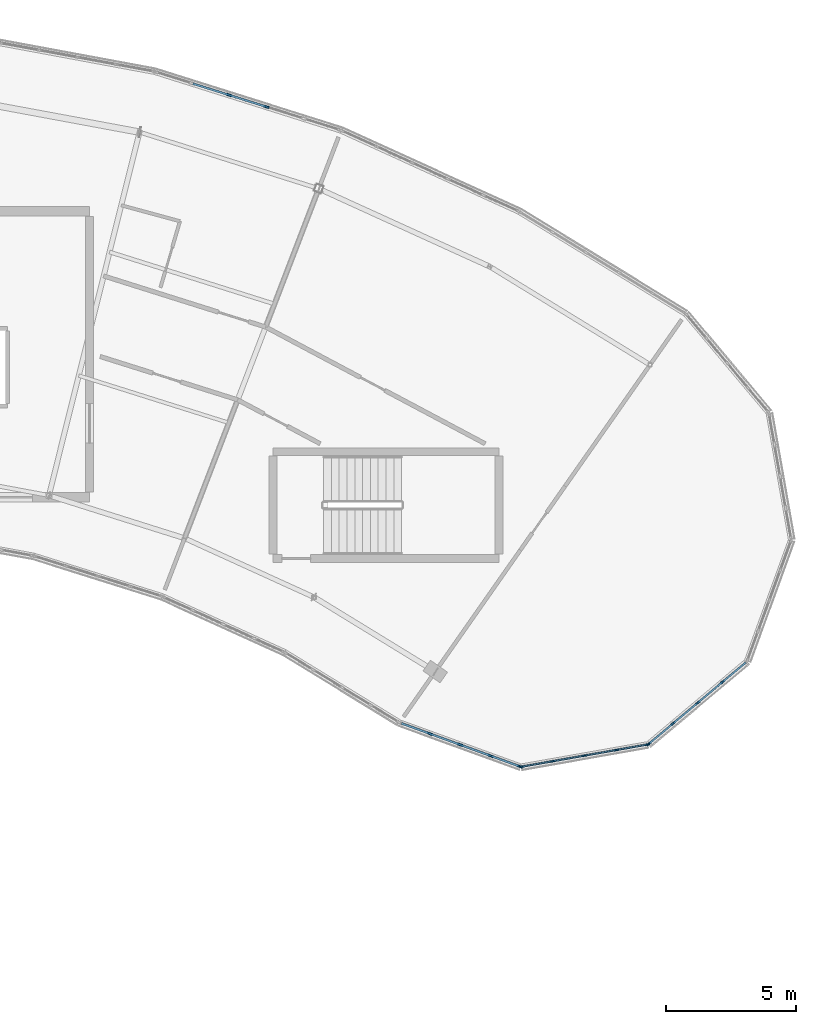
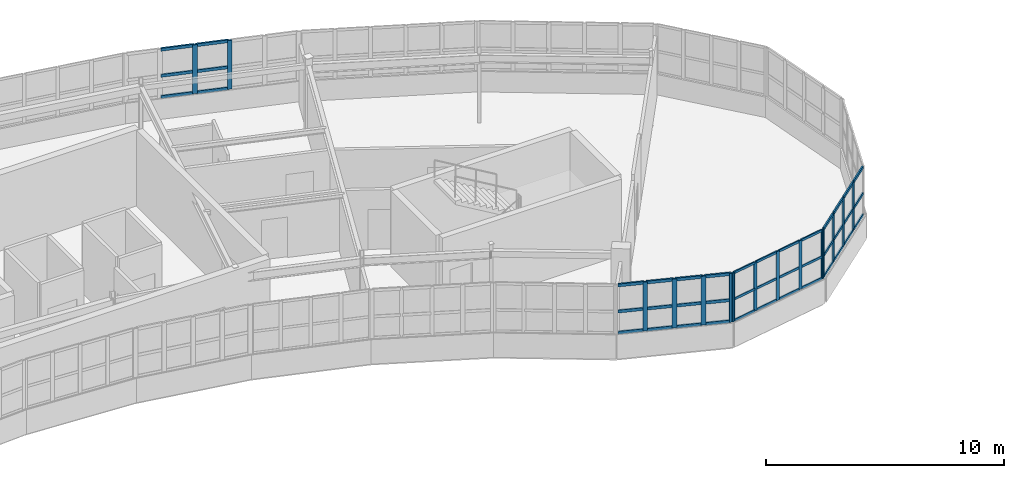
# One storey, part 33 of 65: 57 members, 4 elements without a shape of their own.
"""IFC4 building model written with IfcOpenShell, lengths in metres."""

from ifc_helpers import new_model, si_unit, direction, frame, origin, origin_2d, place, context, subcontext, project, spatial, rectangle, extrude, material, layer, layer_set, material_profile, profile_set, type_object, element, aggregate, save


model = new_model("IFC4")

# Units and contexts
model_context = context("Model", 3, precision=1e-05, world=origin(), true_north=direction((0.0, 1.0)))
body_context = subcontext(model_context, "Body", "Model", "MODEL_VIEW")
ifc_project = project(units=[si_unit("LENGTHUNIT", "METRE"), si_unit("AREAUNIT", "SQUARE_METRE"), si_unit("VOLUMEUNIT", "CUBIC_METRE"), si_unit("PLANEANGLEUNIT", "RADIAN"), si_unit("MASSUNIT", "GRAM", prefix="KILO")], contexts=[model_context])

# Site, building, storey
site_placement = place(None, origin())
site = spatial("IfcSite", under=ifc_project, at=site_placement, CompositionType="ELEMENT")
building_placement = place(site_placement, origin())
building = spatial("IfcBuilding", under=site, at=building_placement, Name="Tarnwether General Hospital", CompositionType="ELEMENT")
storey_placement = place(building_placement, frame((0.0, 0.0, 22.199951171875)))
storey = spatial("IfcBuildingStorey", under=building, at=storey_placement, Name="L05", CompositionType="ELEMENT", Elevation=22.199951171875)

# Curtain wall, members
ifc_material_1 = material(Name="Anodised aluminium", Category="aluminium")
ifc_layer_1 = layer(ifc_material_1, 0.159912109375)
ifc_layer_set_1 = layer_set([ifc_layer_1], Name="Anodised aluminium")
curtain_wall_type_1 = type_object("IfcCurtainWallType", Name="CW-03", PredefinedType="NOTDEFINED", material=ifc_layer_set_1)
curtain_wall_1_placement = place(storey_placement, origin())
curtain_wall_1 = element("IfcCurtainWall", 1, at=curtain_wall_1_placement, inside=storey, type_object=curtain_wall_type_1, Name="Curtain Wall CWG-L05-1259_969-0081", PredefinedType="NOTDEFINED")
ifc_material_2 = material(Name="Anodised aluminium", Category="aluminium")
ifc_material_profile_1 = material_profile(ifc_material_2, rectangle(XDim=0.06005859375, YDim=0.159912109375, at=origin_2d()), Name="ALU-MUL-60x160")
ifc_profile_set_1 = profile_set([ifc_material_profile_1], Name="Anodised aluminium")
member_type_1 = type_object("IfcMemberType", Name="CW-ML1", PredefinedType="MULLION", material=ifc_profile_set_1)
member_1_placement = place(storey_placement, frame((125.853515625, 96.889892578125, 1.050048828125), z_axis=(0.0, 0.0, 1.0), x_axis=(0.173659059054, -0.984805834268, 0.0)))
member_1 = element("IfcMember", 2, at=member_1_placement, type_object=member_type_1, Name="CW-03 mullion 1", PredefinedType="MULLION", context=body_context, shape_type="SweptSolid", body=[
    extrude(rectangle(XDim=0.06005859375, YDim=0.159912109375, at=origin_2d()), origin(), (0.0, 0.0, 1.0), 2.510009765625),
])
member_2_placement = place(storey_placement, frame((124.659423828125, 96.67919921875, 1.050048828125), z_axis=(0.0, 0.0, 1.0), x_axis=(0.173659059054, -0.984805834268, 0.0)))
member_2 = element("IfcMember", 3, at=member_2_placement, type_object=member_type_1, Name="CW-03 mullion 2", PredefinedType="MULLION", context=body_context, shape_type="SweptSolid", body=[
    extrude(rectangle(XDim=0.06005859375, YDim=0.159912109375, at=origin_2d()), origin(), (0.0, 0.0, 1.0), 2.510009765625),
])
member_3_placement = place(storey_placement, frame((123.43603515625, 96.46337890625, 1.050048828125), z_axis=(0.0, 0.0, 1.0), x_axis=(0.173659059054, -0.984805834268, 0.0)))
member_3 = element("IfcMember", 4, at=member_3_placement, type_object=member_type_1, Name="CW-03 mullion 3", PredefinedType="MULLION", context=body_context, shape_type="SweptSolid", body=[
    extrude(rectangle(XDim=0.06005859375, YDim=0.159912109375, at=origin_2d()), origin(), (0.0, 0.0, 1.0), 2.510009765625),
])
member_4_placement = place(storey_placement, frame((122.21240234375, 96.247802734375, 1.050048828125), z_axis=(0.0, 0.0, 1.0), x_axis=(0.173659059054, -0.984805834268, 0.0)))
member_4 = element("IfcMember", 5, at=member_4_placement, type_object=member_type_1, Name="CW-03 mullion 4", PredefinedType="MULLION", context=body_context, shape_type="SweptSolid", body=[
    extrude(rectangle(XDim=0.06005859375, YDim=0.159912109375, at=origin_2d()), origin(), (0.0, 0.0, 1.0), 2.510009765625),
])
member_5_placement = place(storey_placement, frame((121.0185546875, 96.037109375, 1.050048828125), z_axis=(0.0, 0.0, 1.0), x_axis=(0.173659059054, -0.984805834268, 0.0)))
member_5 = element("IfcMember", 6, at=member_5_placement, type_object=member_type_1, Name="CW-03 mullion 5", PredefinedType="MULLION", context=body_context, shape_type="SweptSolid", body=[
    extrude(rectangle(XDim=0.06005859375, YDim=0.159912109375, at=origin_2d()), origin(), (0.0, 0.0, 1.0), 2.510009765625),
])

curtain_wall_2_placement = place(storey_placement, origin())
curtain_wall_2 = element("IfcCurtainWall", 7, at=curtain_wall_2_placement, inside=storey, type_object=curtain_wall_type_1, Name="Curtain Wall CWG-L05-1297_1001-0082", PredefinedType="NOTDEFINED")
ifc_material_3 = material(Name="Anodised aluminium", Category="aluminium")
ifc_material_profile_2 = material_profile(ifc_material_3, rectangle(XDim=0.070068359375, YDim=0.179931640625, at=origin_2d()), Name="ALU-MUL-70x180")
ifc_profile_set_2 = profile_set([ifc_material_profile_2], Name="Anodised aluminium")
member_type_2 = type_object("IfcMemberType", Name="CW-ML2", PredefinedType="MULLION", material=ifc_profile_set_2)
member_6_placement = place(storey_placement, frame((128.73828125, 99.291259765625, 1.050048828125), z_axis=(0.0, 0.0, 1.0), x_axis=(0.64285227611, -0.765990176896, 0.0)))
member_6 = element("IfcMember", 8, at=member_6_placement, type_object=member_type_2, Name="CW-03 mullion 2", PredefinedType="MULLION", context=body_context, shape_type="SweptSolid", body=[
    extrude(rectangle(XDim=0.070068359375, YDim=0.179931640625, at=origin_2d()), origin(), (0.0, 0.0, 1.0), 2.510009765625),
])
member_7_placement = place(storey_placement, frame((127.78662109375, 98.492431640625, 1.050048828125), z_axis=(0.0, 0.0, 1.0), x_axis=(0.64285227611, -0.765990176896, 0.0)))
member_7 = element("IfcMember", 9, at=member_7_placement, type_object=member_type_2, Name="CW-03 mullion 3", PredefinedType="MULLION", context=body_context, shape_type="SweptSolid", body=[
    extrude(rectangle(XDim=0.070068359375, YDim=0.179931640625, at=origin_2d()), origin(), (0.0, 0.0, 1.0), 2.510009765625),
])
member_8_placement = place(storey_placement, frame((126.834716796875, 97.69384765625, 1.050048828125), z_axis=(0.0, 0.0, 1.0), x_axis=(0.64285227611, -0.765990176896, 0.0)))
member_8 = element("IfcMember", 10, at=member_8_placement, type_object=member_type_2, Name="CW-03 mullion 4", PredefinedType="MULLION", context=body_context, shape_type="SweptSolid", body=[
    extrude(rectangle(XDim=0.070068359375, YDim=0.179931640625, at=origin_2d()), origin(), (0.0, 0.0, 1.0), 2.510009765625),
])
member_9_placement = place(storey_placement, frame((125.909912109375, 96.91748046875, 1.050048828125), z_axis=(0.0, 0.0, 1.0), x_axis=(0.64285227611, -0.765990176896, 0.0)))
member_9 = element("IfcMember", 11, at=member_9_placement, type_object=member_type_2, Name="CW-03 mullion 5", PredefinedType="MULLION", context=body_context, shape_type="SweptSolid", body=[
    extrude(rectangle(XDim=0.070068359375, YDim=0.179931640625, at=origin_2d()), origin(), (0.0, 0.0, 1.0), 2.510009765625),
])

curtain_wall_3_placement = place(storey_placement, origin())
curtain_wall_3 = element("IfcCurtainWall", 12, at=curtain_wall_3_placement, inside=storey, type_object=curtain_wall_type_1, Name="Curtain Wall CWG-L05-1210_960-0080", PredefinedType="NOTDEFINED")
ifc_material_4 = material(Name="Anodised aluminium", Category="aluminium")
ifc_material_profile_3 = material_profile(ifc_material_4, rectangle(XDim=0.080078125, YDim=0.199951171875, at=origin_2d()), Name="ALU-MUL-80x200")
ifc_profile_set_3 = profile_set([ifc_material_profile_3], Name="Anodised aluminium")
member_type_3 = type_object("IfcMemberType", Name="CW-ML4", PredefinedType="MULLION", material=ifc_profile_set_3)
member_10_placement = place(storey_placement, frame((120.951416015625, 96.045654296875, 1.050048828125), z_axis=(0.0, 0.0, 1.0), x_axis=(-0.342130850834, -0.939652319163, 0.0)))
member_10 = element("IfcMember", 13, at=member_10_placement, type_object=member_type_3, Name="CW-03 mullion 1", PredefinedType="MULLION", context=body_context, shape_type="SweptSolid", body=[
    extrude(rectangle(XDim=0.080078125, YDim=0.199951171875, at=origin_2d()), origin(), (0.0, 0.0, 1.0), 2.510009765625),
])
member_11_placement = place(storey_placement, frame((119.82177734375, 96.45703125, 1.050048828125), z_axis=(0.0, 0.0, 1.0), x_axis=(-0.342130850834, -0.939652319163, 0.0)))
member_11 = element("IfcMember", 14, at=member_11_placement, type_object=member_type_3, Name="CW-03 mullion 2", PredefinedType="MULLION", context=body_context, shape_type="SweptSolid", body=[
    extrude(rectangle(XDim=0.080078125, YDim=0.199951171875, at=origin_2d()), origin(), (0.0, 0.0, 1.0), 2.510009765625),
])
member_12_placement = place(storey_placement, frame((118.654541015625, 96.882080078125, 1.050048828125), z_axis=(0.0, 0.0, 1.0), x_axis=(-0.342130850834, -0.939652319163, 0.0)))
member_12 = element("IfcMember", 15, at=member_12_placement, type_object=member_type_3, Name="CW-03 mullion 3", PredefinedType="MULLION", context=body_context, shape_type="SweptSolid", body=[
    extrude(rectangle(XDim=0.080078125, YDim=0.199951171875, at=origin_2d()), origin(), (0.0, 0.0, 1.0), 2.510009765625),
])
member_13_placement = place(storey_placement, frame((117.4873046875, 97.306884765625, 1.050048828125), z_axis=(0.0, 0.0, 1.0), x_axis=(-0.342130850834, -0.939652319163, 0.0)))
member_13 = element("IfcMember", 16, at=member_13_placement, type_object=member_type_3, Name="CW-03 mullion 4", PredefinedType="MULLION", context=body_context, shape_type="SweptSolid", body=[
    extrude(rectangle(XDim=0.080078125, YDim=0.199951171875, at=origin_2d()), origin(), (0.0, 0.0, 1.0), 2.510009765625),
])

ifc_material_5 = material(Name="Anodised aluminium", Category="aluminium")
ifc_layer_2 = layer(ifc_material_5, 0.159912109375)
ifc_layer_set_2 = layer_set([ifc_layer_2], Name="Anodised aluminium")
curtain_wall_type_2 = type_object("IfcCurtainWallType", Name="CW-05", PredefinedType="NOTDEFINED", material=ifc_layer_set_2)
curtain_wall_4_placement = place(storey_placement, origin())
curtain_wall_4 = element("IfcCurtainWall", 17, at=curtain_wall_4_placement, inside=storey, type_object=curtain_wall_type_2, Name="Curtain Wall CWG-L05-1069_1228-0088", PredefinedType="NOTDEFINED")
member_14_placement = place(storey_placement, frame((109.771240234375, 121.865478515625, 1.050048828125), z_axis=(0.0, 0.0, 1.0), x_axis=(0.300628613299, 0.953741284032, 0.0)))
member_14 = element("IfcMember", 18, at=member_14_placement, type_object=member_type_3, Name="CW-05 mullion 3", PredefinedType="MULLION", context=body_context, shape_type="SweptSolid", body=[
    extrude(rectangle(XDim=0.080078125, YDim=0.199951171875, at=origin_2d()), origin(), (0.0, 0.0, 1.0), 2.510009765625),
])
member_15_placement = place(storey_placement, frame((111.205810546875, 121.413330078125, 1.050048828125), z_axis=(0.0, 0.0, 1.0), x_axis=(0.300628613299, 0.953741284032, 0.0)))
member_15 = element("IfcMember", 19, at=member_15_placement, type_object=member_type_3, Name="CW-05 mullion 4", PredefinedType="MULLION", context=body_context, shape_type="SweptSolid", body=[
    extrude(rectangle(XDim=0.080078125, YDim=0.199951171875, at=origin_2d()), origin(), (0.0, 0.0, 1.0), 2.510009765625),
])

# Member
ifc_material_6 = material(Name="Anodised aluminium", Category="aluminium")
ifc_material_profile_4 = material_profile(ifc_material_6, rectangle(XDim=0.06005859375, YDim=0.1201171875, at=origin_2d()), Name="ALU-TRN-60x120")
ifc_profile_set_4 = profile_set([ifc_material_profile_4], Name="Anodised aluminium")
member_type_4 = type_object("IfcMemberType", Name="CW-TR1", PredefinedType="USERDEFINED", material=ifc_profile_set_4)
member_16_placement = place(storey_placement, frame((125.823974609375, 96.884521484375, 1.080078125), z_axis=(-0.984834698435, -0.173495293185, 0.0), x_axis=(0.173495293185, -0.984834698435, 0.0)))
member_16 = element("IfcMember", 20, at=member_16_placement, type_object=member_type_4, Name="CW-03 transom 1.1", ObjectType="TRANSOM", PredefinedType="USERDEFINED", context=body_context, shape_type="SweptSolid", body=[
    extrude(rectangle(XDim=0.06005859375, YDim=0.1201171875, at=origin_2d()), origin(), (0.0, 0.0, 1.0), 1.152587890625),
])

member_17_placement = place(storey_placement, frame((125.823974609375, 96.884521484375, 2.179443359375), z_axis=(-0.984834698435, -0.173495293185, 0.0), x_axis=(0.173495293185, -0.984834698435, 0.0)))
member_17 = element("IfcMember", 21, at=member_17_placement, type_object=member_type_4, Name="CW-03 transom 1.2", ObjectType="TRANSOM", PredefinedType="USERDEFINED", context=body_context, shape_type="SweptSolid", body=[
    extrude(rectangle(XDim=0.06005859375, YDim=0.1201171875, at=origin_2d()), origin(), (0.0, 0.0, 1.0), 1.152587890625),
])

member_18_placement = place(storey_placement, frame((125.823974609375, 96.884521484375, 3.530029296875), z_axis=(-0.984834698435, -0.173495293185, 0.0), x_axis=(0.173495293185, -0.984834698435, 0.0)))
member_18 = element("IfcMember", 22, at=member_18_placement, type_object=member_type_4, Name="CW-03 transom 1.3", ObjectType="TRANSOM", PredefinedType="USERDEFINED", context=body_context, shape_type="SweptSolid", body=[
    extrude(rectangle(XDim=0.06005859375, YDim=0.1201171875, at=origin_2d()), origin(), (0.0, 0.0, 1.0), 1.152587890625),
])

member_19_placement = place(storey_placement, frame((124.6298828125, 96.674072265625, 1.080078125), z_axis=(-0.984804340486, -0.173667529954, 0.0), x_axis=(0.173667529954, -0.984804340486, 0.0)))
member_19 = element("IfcMember", 23, at=member_19_placement, type_object=member_type_4, Name="CW-03 transom 2.1", ObjectType="TRANSOM", PredefinedType="USERDEFINED", context=body_context, shape_type="SweptSolid", body=[
    extrude(rectangle(XDim=0.06005859375, YDim=0.1201171875, at=origin_2d()), origin(), (0.0, 0.0, 1.0), 1.182373046875),
])

member_20_placement = place(storey_placement, frame((124.6298828125, 96.674072265625, 2.179443359375), z_axis=(-0.984804340486, -0.173667529954, 0.0), x_axis=(0.173667529954, -0.984804340486, 0.0)))
member_20 = element("IfcMember", 24, at=member_20_placement, type_object=member_type_4, Name="CW-03 transom 2.2", ObjectType="TRANSOM", PredefinedType="USERDEFINED", context=body_context, shape_type="SweptSolid", body=[
    extrude(rectangle(XDim=0.06005859375, YDim=0.1201171875, at=origin_2d()), origin(), (0.0, 0.0, 1.0), 1.182373046875),
])

member_21_placement = place(storey_placement, frame((124.6298828125, 96.674072265625, 3.530029296875), z_axis=(-0.984804340486, -0.173667529954, 0.0), x_axis=(0.173667529954, -0.984804340486, 0.0)))
member_21 = element("IfcMember", 25, at=member_21_placement, type_object=member_type_4, Name="CW-03 transom 2.3", ObjectType="TRANSOM", PredefinedType="USERDEFINED", context=body_context, shape_type="SweptSolid", body=[
    extrude(rectangle(XDim=0.06005859375, YDim=0.1201171875, at=origin_2d()), origin(), (0.0, 0.0, 1.0), 1.182373046875),
])

member_22_placement = place(storey_placement, frame((123.406494140625, 96.458251953125, 1.080078125), z_axis=(-0.984810566748, -0.17363221942, 0.0), x_axis=(0.17363221942, -0.984810566748, 0.0)))
member_22 = element("IfcMember", 26, at=member_22_placement, type_object=member_type_4, Name="CW-03 transom 3.1", ObjectType="TRANSOM", PredefinedType="USERDEFINED", context=body_context, shape_type="SweptSolid", body=[
    extrude(rectangle(XDim=0.06005859375, YDim=0.1201171875, at=origin_2d()), origin(), (0.0, 0.0, 1.0), 1.1826171875),
])

member_23_placement = place(storey_placement, frame((123.406494140625, 96.458251953125, 2.179443359375), z_axis=(-0.984810566748, -0.17363221942, 0.0), x_axis=(0.17363221942, -0.984810566748, 0.0)))
member_23 = element("IfcMember", 27, at=member_23_placement, type_object=member_type_4, Name="CW-03 transom 3.2", ObjectType="TRANSOM", PredefinedType="USERDEFINED", context=body_context, shape_type="SweptSolid", body=[
    extrude(rectangle(XDim=0.06005859375, YDim=0.1201171875, at=origin_2d()), origin(), (0.0, 0.0, 1.0), 1.1826171875),
])

member_24_placement = place(storey_placement, frame((123.406494140625, 96.458251953125, 3.530029296875), z_axis=(-0.984810566748, -0.17363221942, 0.0), x_axis=(0.17363221942, -0.984810566748, 0.0)))
member_24 = element("IfcMember", 28, at=member_24_placement, type_object=member_type_4, Name="CW-03 transom 3.3", ObjectType="TRANSOM", PredefinedType="USERDEFINED", context=body_context, shape_type="SweptSolid", body=[
    extrude(rectangle(XDim=0.06005859375, YDim=0.1201171875, at=origin_2d()), origin(), (0.0, 0.0, 1.0), 1.1826171875),
])

member_25_placement = place(storey_placement, frame((122.182861328125, 96.242431640625, 1.080078125), z_axis=(-0.984828319986, -0.173531496142, 0.0), x_axis=(0.173531496142, -0.984828319986, 0.0)))
member_25 = element("IfcMember", 29, at=member_25_placement, type_object=member_type_4, Name="CW-03 transom 4.1", ObjectType="TRANSOM", PredefinedType="USERDEFINED", context=body_context, shape_type="SweptSolid", body=[
    extrude(rectangle(XDim=0.06005859375, YDim=0.1201171875, at=origin_2d()), origin(), (0.0, 0.0, 1.0), 1.15234375),
])

member_26_placement = place(storey_placement, frame((122.182861328125, 96.242431640625, 2.179443359375), z_axis=(-0.984828319986, -0.173531496142, 0.0), x_axis=(0.173531496142, -0.984828319986, 0.0)))
member_26 = element("IfcMember", 30, at=member_26_placement, type_object=member_type_4, Name="CW-03 transom 4.2", ObjectType="TRANSOM", PredefinedType="USERDEFINED", context=body_context, shape_type="SweptSolid", body=[
    extrude(rectangle(XDim=0.06005859375, YDim=0.1201171875, at=origin_2d()), origin(), (0.0, 0.0, 1.0), 1.15234375),
])

member_27_placement = place(storey_placement, frame((122.182861328125, 96.242431640625, 3.530029296875), z_axis=(-0.984828319986, -0.173531496142, 0.0), x_axis=(0.173531496142, -0.984828319986, 0.0)))
member_27 = element("IfcMember", 31, at=member_27_placement, type_object=member_type_4, Name="CW-03 transom 4.3", ObjectType="TRANSOM", PredefinedType="USERDEFINED", context=body_context, shape_type="SweptSolid", body=[
    extrude(rectangle(XDim=0.06005859375, YDim=0.1201171875, at=origin_2d()), origin(), (0.0, 0.0, 1.0), 1.15234375),
])

aggregate(curtain_wall_1, [member_1, member_2, member_3, member_4, member_5, member_16, member_17, member_18, member_19, member_20, member_21, member_22, member_23, member_24, member_25, member_26, member_27])

ifc_material_7 = material(Name="Anodised aluminium", Category="aluminium")
ifc_material_profile_5 = material_profile(ifc_material_7, rectangle(XDim=0.070068359375, YDim=0.139892578125, at=origin_2d()), Name="ALU-TRN-70x140")
ifc_profile_set_5 = profile_set([ifc_material_profile_5], Name="Anodised aluminium")
member_type_5 = type_object("IfcMemberType", Name="CW-TR2", PredefinedType="USERDEFINED", material=ifc_profile_set_5)
member_28_placement = place(storey_placement, frame((129.636474609375, 100.044921875, 1.0849609375), z_axis=(-0.766017660128, -0.642819527062, 0.0), x_axis=(0.642819527062, -0.766017660128, 0.0)))
member_28 = element("IfcMember", 32, at=member_28_placement, type_object=member_type_5, Name="CW-03 transom 1.1", ObjectType="TRANSOM", PredefinedType="USERDEFINED", context=body_context, shape_type="SweptSolid", body=[
    extrude(rectangle(XDim=0.070068359375, YDim=0.139892578125, at=origin_2d()), origin(), (0.0, 0.0, 1.0), 1.137451171875),
])

member_29_placement = place(storey_placement, frame((129.636474609375, 100.044921875, 2.179443359375), z_axis=(-0.766017660128, -0.642819527062, 0.0), x_axis=(0.642819527062, -0.766017660128, 0.0)))
member_29 = element("IfcMember", 33, at=member_29_placement, type_object=member_type_5, Name="CW-03 transom 1.2", ObjectType="TRANSOM", PredefinedType="USERDEFINED", context=body_context, shape_type="SweptSolid", body=[
    extrude(rectangle(XDim=0.070068359375, YDim=0.139892578125, at=origin_2d()), origin(), (0.0, 0.0, 1.0), 1.137451171875),
])

member_30_placement = place(storey_placement, frame((129.636474609375, 100.044921875, 3.525146484375), z_axis=(-0.766017660128, -0.642819527062, 0.0), x_axis=(0.642819527062, -0.766017660128, 0.0)))
member_30 = element("IfcMember", 34, at=member_30_placement, type_object=member_type_5, Name="CW-03 transom 1.3", ObjectType="TRANSOM", PredefinedType="USERDEFINED", context=body_context, shape_type="SweptSolid", body=[
    extrude(rectangle(XDim=0.070068359375, YDim=0.139892578125, at=origin_2d()), origin(), (0.0, 0.0, 1.0), 1.137451171875),
])

member_31_placement = place(storey_placement, frame((128.71142578125, 99.268798828125, 1.0849609375), z_axis=(-0.765946792519, -0.642903967191, 0.0), x_axis=(0.642903967191, -0.765946792519, 0.0)))
member_31 = element("IfcMember", 35, at=member_31_placement, type_object=member_type_5, Name="CW-03 transom 2.1", ObjectType="TRANSOM", PredefinedType="USERDEFINED", context=body_context, shape_type="SweptSolid", body=[
    extrude(rectangle(XDim=0.070068359375, YDim=0.139892578125, at=origin_2d()), origin(), (0.0, 0.0, 1.0), 1.172607421875),
])

member_32_placement = place(storey_placement, frame((128.71142578125, 99.268798828125, 2.179443359375), z_axis=(-0.765946792519, -0.642903967191, 0.0), x_axis=(0.642903967191, -0.765946792519, 0.0)))
member_32 = element("IfcMember", 36, at=member_32_placement, type_object=member_type_5, Name="CW-03 transom 2.2", ObjectType="TRANSOM", PredefinedType="USERDEFINED", context=body_context, shape_type="SweptSolid", body=[
    extrude(rectangle(XDim=0.070068359375, YDim=0.139892578125, at=origin_2d()), origin(), (0.0, 0.0, 1.0), 1.172607421875),
])

member_33_placement = place(storey_placement, frame((128.71142578125, 99.268798828125, 3.525146484375), z_axis=(-0.765946792519, -0.642903967191, 0.0), x_axis=(0.642903967191, -0.765946792519, 0.0)))
member_33 = element("IfcMember", 37, at=member_33_placement, type_object=member_type_5, Name="CW-03 transom 2.3", ObjectType="TRANSOM", PredefinedType="USERDEFINED", context=body_context, shape_type="SweptSolid", body=[
    extrude(rectangle(XDim=0.070068359375, YDim=0.139892578125, at=origin_2d()), origin(), (0.0, 0.0, 1.0), 1.172607421875),
])

member_34_placement = place(storey_placement, frame((127.759765625, 98.469970703125, 1.0849609375), z_axis=(-0.766049317662, -0.642781800387, 0.0), x_axis=(0.642781800387, -0.766049317662, 0.0)))
member_34 = element("IfcMember", 38, at=member_34_placement, type_object=member_type_5, Name="CW-03 transom 3.1", ObjectType="TRANSOM", PredefinedType="USERDEFINED", context=body_context, shape_type="SweptSolid", body=[
    extrude(rectangle(XDim=0.070068359375, YDim=0.139892578125, at=origin_2d()), origin(), (0.0, 0.0, 1.0), 1.172607421875),
])

member_35_placement = place(storey_placement, frame((127.759765625, 98.469970703125, 2.179443359375), z_axis=(-0.766049317662, -0.642781800387, 0.0), x_axis=(0.642781800387, -0.766049317662, 0.0)))
member_35 = element("IfcMember", 39, at=member_35_placement, type_object=member_type_5, Name="CW-03 transom 3.2", ObjectType="TRANSOM", PredefinedType="USERDEFINED", context=body_context, shape_type="SweptSolid", body=[
    extrude(rectangle(XDim=0.070068359375, YDim=0.139892578125, at=origin_2d()), origin(), (0.0, 0.0, 1.0), 1.172607421875),
])

member_36_placement = place(storey_placement, frame((127.759765625, 98.469970703125, 3.525146484375), z_axis=(-0.766049317662, -0.642781800387, 0.0), x_axis=(0.642781800387, -0.766049317662, 0.0)))
member_36 = element("IfcMember", 40, at=member_36_placement, type_object=member_type_5, Name="CW-03 transom 3.3", ObjectType="TRANSOM", PredefinedType="USERDEFINED", context=body_context, shape_type="SweptSolid", body=[
    extrude(rectangle(XDim=0.070068359375, YDim=0.139892578125, at=origin_2d()), origin(), (0.0, 0.0, 1.0), 1.172607421875),
])

member_37_placement = place(storey_placement, frame((126.807861328125, 97.671142578125, 1.0849609375), z_axis=(-0.766017660128, -0.642819527062, 0.0), x_axis=(0.642819527062, -0.766017660128, 0.0)))
member_37 = element("IfcMember", 41, at=member_37_placement, type_object=member_type_5, Name="CW-03 transom 4.1", ObjectType="TRANSOM", PredefinedType="USERDEFINED", context=body_context, shape_type="SweptSolid", body=[
    extrude(rectangle(XDim=0.070068359375, YDim=0.139892578125, at=origin_2d()), origin(), (0.0, 0.0, 1.0), 1.137451171875),
])

member_38_placement = place(storey_placement, frame((126.807861328125, 97.671142578125, 2.179443359375), z_axis=(-0.766017660128, -0.642819527062, 0.0), x_axis=(0.642819527062, -0.766017660128, 0.0)))
member_38 = element("IfcMember", 42, at=member_38_placement, type_object=member_type_5, Name="CW-03 transom 4.2", ObjectType="TRANSOM", PredefinedType="USERDEFINED", context=body_context, shape_type="SweptSolid", body=[
    extrude(rectangle(XDim=0.070068359375, YDim=0.139892578125, at=origin_2d()), origin(), (0.0, 0.0, 1.0), 1.137451171875),
])

member_39_placement = place(storey_placement, frame((126.807861328125, 97.671142578125, 3.525146484375), z_axis=(-0.766017660128, -0.642819527062, 0.0), x_axis=(0.642819527062, -0.766017660128, 0.0)))
member_39 = element("IfcMember", 43, at=member_39_placement, type_object=member_type_5, Name="CW-03 transom 4.3", ObjectType="TRANSOM", PredefinedType="USERDEFINED", context=body_context, shape_type="SweptSolid", body=[
    extrude(rectangle(XDim=0.070068359375, YDim=0.139892578125, at=origin_2d()), origin(), (0.0, 0.0, 1.0), 1.137451171875),
])

aggregate(curtain_wall_2, [member_6, member_7, member_8, member_9, member_28, member_29, member_30, member_31, member_32, member_33, member_34, member_35, member_36, member_37, member_38, member_39])

ifc_material_8 = material(Name="Anodised aluminium", Category="aluminium")
ifc_material_profile_6 = material_profile(ifc_material_8, rectangle(XDim=0.080078125, YDim=0.14990234375, at=origin_2d()), Name="ALU-TRN-80x150")
ifc_profile_set_6 = profile_set([ifc_material_profile_6], Name="Anodised aluminium")
member_type_6 = type_object("IfcMemberType", Name="CW-TR4", PredefinedType="USERDEFINED", material=ifc_profile_set_6)
member_40_placement = place(storey_placement, frame((120.913818359375, 96.059326171875, 1.090087890625), z_axis=(-0.939621801611, 0.342214654766, 0.0), x_axis=(-0.342214654766, -0.939621801611, 0.0)))
member_40 = element("IfcMember", 44, at=member_40_placement, type_object=member_type_6, Name="CW-03 transom 1.1", ObjectType="TRANSOM", PredefinedType="USERDEFINED", context=body_context, shape_type="SweptSolid", body=[
    extrude(rectangle(XDim=0.080078125, YDim=0.14990234375, at=origin_2d()), origin(), (0.0, 0.0, 1.0), 1.122314453125),
])

member_41_placement = place(storey_placement, frame((120.913818359375, 96.059326171875, 2.179443359375), z_axis=(-0.939621801611, 0.342214654766, 0.0), x_axis=(-0.342214654766, -0.939621801611, 0.0)))
member_41 = element("IfcMember", 45, at=member_41_placement, type_object=member_type_6, Name="CW-03 transom 1.2", ObjectType="TRANSOM", PredefinedType="USERDEFINED", context=body_context, shape_type="SweptSolid", body=[
    extrude(rectangle(XDim=0.080078125, YDim=0.14990234375, at=origin_2d()), origin(), (0.0, 0.0, 1.0), 1.122314453125),
])

member_42_placement = place(storey_placement, frame((120.913818359375, 96.059326171875, 3.52001953125), z_axis=(-0.939621801611, 0.342214654766, 0.0), x_axis=(-0.342214654766, -0.939621801611, 0.0)))
member_42 = element("IfcMember", 46, at=member_42_placement, type_object=member_type_6, Name="CW-03 transom 1.3", ObjectType="TRANSOM", PredefinedType="USERDEFINED", context=body_context, shape_type="SweptSolid", body=[
    extrude(rectangle(XDim=0.080078125, YDim=0.14990234375, at=origin_2d()), origin(), (0.0, 0.0, 1.0), 1.122314453125),
])

member_43_placement = place(storey_placement, frame((119.7841796875, 96.470703125, 1.090087890625), z_axis=(-0.939627713237, 0.342198422728, 0.0), x_axis=(-0.342198422728, -0.939627713237, 0.0)))
member_43 = element("IfcMember", 47, at=member_43_placement, type_object=member_type_6, Name="CW-03 transom 2.1", ObjectType="TRANSOM", PredefinedType="USERDEFINED", context=body_context, shape_type="SweptSolid", body=[
    extrude(rectangle(XDim=0.080078125, YDim=0.14990234375, at=origin_2d()), origin(), (0.0, 0.0, 1.0), 1.162109375),
])

member_44_placement = place(storey_placement, frame((119.7841796875, 96.470703125, 2.179443359375), z_axis=(-0.939627713237, 0.342198422728, 0.0), x_axis=(-0.342198422728, -0.939627713237, 0.0)))
member_44 = element("IfcMember", 48, at=member_44_placement, type_object=member_type_6, Name="CW-03 transom 2.2", ObjectType="TRANSOM", PredefinedType="USERDEFINED", context=body_context, shape_type="SweptSolid", body=[
    extrude(rectangle(XDim=0.080078125, YDim=0.14990234375, at=origin_2d()), origin(), (0.0, 0.0, 1.0), 1.162109375),
])

member_45_placement = place(storey_placement, frame((119.7841796875, 96.470703125, 3.52001953125), z_axis=(-0.939627713237, 0.342198422728, 0.0), x_axis=(-0.342198422728, -0.939627713237, 0.0)))
member_45 = element("IfcMember", 49, at=member_45_placement, type_object=member_type_6, Name="CW-03 transom 2.3", ObjectType="TRANSOM", PredefinedType="USERDEFINED", context=body_context, shape_type="SweptSolid", body=[
    extrude(rectangle(XDim=0.080078125, YDim=0.14990234375, at=origin_2d()), origin(), (0.0, 0.0, 1.0), 1.162109375),
])

member_46_placement = place(storey_placement, frame((118.616943359375, 96.895751953125, 1.090087890625), z_axis=(-0.939695244401, 0.342012934917, 0.0), x_axis=(-0.342012934917, -0.939695244401, 0.0)))
member_46 = element("IfcMember", 50, at=member_46_placement, type_object=member_type_6, Name="CW-03 transom 3.1", ObjectType="TRANSOM", PredefinedType="USERDEFINED", context=body_context, shape_type="SweptSolid", body=[
    extrude(rectangle(XDim=0.080078125, YDim=0.14990234375, at=origin_2d()), origin(), (0.0, 0.0, 1.0), 1.162109375),
])

member_47_placement = place(storey_placement, frame((118.616943359375, 96.895751953125, 2.179443359375), z_axis=(-0.939695244401, 0.342012934917, 0.0), x_axis=(-0.342012934917, -0.939695244401, 0.0)))
member_47 = element("IfcMember", 51, at=member_47_placement, type_object=member_type_6, Name="CW-03 transom 3.2", ObjectType="TRANSOM", PredefinedType="USERDEFINED", context=body_context, shape_type="SweptSolid", body=[
    extrude(rectangle(XDim=0.080078125, YDim=0.14990234375, at=origin_2d()), origin(), (0.0, 0.0, 1.0), 1.162109375),
])

member_48_placement = place(storey_placement, frame((118.616943359375, 96.895751953125, 3.52001953125), z_axis=(-0.939695244401, 0.342012934917, 0.0), x_axis=(-0.342012934917, -0.939695244401, 0.0)))
member_48 = element("IfcMember", 52, at=member_48_placement, type_object=member_type_6, Name="CW-03 transom 3.3", ObjectType="TRANSOM", PredefinedType="USERDEFINED", context=body_context, shape_type="SweptSolid", body=[
    extrude(rectangle(XDim=0.080078125, YDim=0.14990234375, at=origin_2d()), origin(), (0.0, 0.0, 1.0), 1.162109375),
])

member_49_placement = place(storey_placement, frame((117.44970703125, 97.32080078125, 1.090087890625), z_axis=(-0.939691742636, 0.342022556014, 0.0), x_axis=(-0.342022556014, -0.939691742636, 0.0)))
member_49 = element("IfcMember", 53, at=member_49_placement, type_object=member_type_6, Name="CW-03 transom 4.1", ObjectType="TRANSOM", PredefinedType="USERDEFINED", context=body_context, shape_type="SweptSolid", body=[
    extrude(rectangle(XDim=0.080078125, YDim=0.14990234375, at=origin_2d()), origin(), (0.0, 0.0, 1.0), 1.1220703125),
])

member_50_placement = place(storey_placement, frame((117.44970703125, 97.32080078125, 2.179443359375), z_axis=(-0.939691742636, 0.342022556014, 0.0), x_axis=(-0.342022556014, -0.939691742636, 0.0)))
member_50 = element("IfcMember", 54, at=member_50_placement, type_object=member_type_6, Name="CW-03 transom 4.2", ObjectType="TRANSOM", PredefinedType="USERDEFINED", context=body_context, shape_type="SweptSolid", body=[
    extrude(rectangle(XDim=0.080078125, YDim=0.14990234375, at=origin_2d()), origin(), (0.0, 0.0, 1.0), 1.1220703125),
])

member_51_placement = place(storey_placement, frame((117.44970703125, 97.32080078125, 3.52001953125), z_axis=(-0.939691742636, 0.342022556014, 0.0), x_axis=(-0.342022556014, -0.939691742636, 0.0)))
member_51 = element("IfcMember", 55, at=member_51_placement, type_object=member_type_6, Name="CW-03 transom 4.3", ObjectType="TRANSOM", PredefinedType="USERDEFINED", context=body_context, shape_type="SweptSolid", body=[
    extrude(rectangle(XDim=0.080078125, YDim=0.14990234375, at=origin_2d()), origin(), (0.0, 0.0, 1.0), 1.1220703125),
])

aggregate(curtain_wall_3, [member_10, member_11, member_12, member_13, member_40, member_41, member_42, member_43, member_44, member_45, member_46, member_47, member_48, member_49, member_50, member_51])

member_52_placement = place(storey_placement, frame((108.374755859375, 122.3056640625, 1.090087890625), z_axis=(0.953781942364, -0.30049959471, 0.0), x_axis=(0.30049959471, 0.953781942364, 0.0)))
member_52 = element("IfcMember", 56, at=member_52_placement, type_object=member_type_6, Name="CW-05 transom 2.1", ObjectType="TRANSOM", PredefinedType="USERDEFINED", context=body_context, shape_type="SweptSolid", body=[
    extrude(rectangle(XDim=0.080078125, YDim=0.14990234375, at=origin_2d()), origin(), (0.0, 0.0, 1.0), 1.42431640625),
])

member_53_placement = place(storey_placement, frame((108.374755859375, 122.3056640625, 2.179443359375), z_axis=(0.953781942364, -0.30049959471, 0.0), x_axis=(0.30049959471, 0.953781942364, 0.0)))
member_53 = element("IfcMember", 57, at=member_53_placement, type_object=member_type_6, Name="CW-05 transom 2.2", ObjectType="TRANSOM", PredefinedType="USERDEFINED", context=body_context, shape_type="SweptSolid", body=[
    extrude(rectangle(XDim=0.080078125, YDim=0.14990234375, at=origin_2d()), origin(), (0.0, 0.0, 1.0), 1.42431640625),
])

member_54_placement = place(storey_placement, frame((108.374755859375, 122.3056640625, 3.52001953125), z_axis=(0.953781942364, -0.30049959471, 0.0), x_axis=(0.30049959471, 0.953781942364, 0.0)))
member_54 = element("IfcMember", 58, at=member_54_placement, type_object=member_type_6, Name="CW-05 transom 2.3", ObjectType="TRANSOM", PredefinedType="USERDEFINED", context=body_context, shape_type="SweptSolid", body=[
    extrude(rectangle(XDim=0.080078125, YDim=0.14990234375, at=origin_2d()), origin(), (0.0, 0.0, 1.0), 1.42431640625),
])

member_55_placement = place(storey_placement, frame((109.809326171875, 121.853515625, 1.090087890625), z_axis=(0.953781942364, -0.30049959471, 0.0), x_axis=(0.30049959471, 0.953781942364, 0.0)))
member_55 = element("IfcMember", 59, at=member_55_placement, type_object=member_type_6, Name="CW-05 transom 3.1", ObjectType="TRANSOM", PredefinedType="USERDEFINED", context=body_context, shape_type="SweptSolid", body=[
    extrude(rectangle(XDim=0.080078125, YDim=0.14990234375, at=origin_2d()), origin(), (0.0, 0.0, 1.0), 1.42431640625),
])

member_56_placement = place(storey_placement, frame((109.809326171875, 121.853515625, 2.179443359375), z_axis=(0.953781942364, -0.30049959471, 0.0), x_axis=(0.30049959471, 0.953781942364, 0.0)))
member_56 = element("IfcMember", 60, at=member_56_placement, type_object=member_type_6, Name="CW-05 transom 3.2", ObjectType="TRANSOM", PredefinedType="USERDEFINED", context=body_context, shape_type="SweptSolid", body=[
    extrude(rectangle(XDim=0.080078125, YDim=0.14990234375, at=origin_2d()), origin(), (0.0, 0.0, 1.0), 1.42431640625),
])

member_57_placement = place(storey_placement, frame((109.809326171875, 121.853515625, 3.52001953125), z_axis=(0.953781942364, -0.30049959471, 0.0), x_axis=(0.30049959471, 0.953781942364, 0.0)))
member_57 = element("IfcMember", 61, at=member_57_placement, type_object=member_type_6, Name="CW-05 transom 3.3", ObjectType="TRANSOM", PredefinedType="USERDEFINED", context=body_context, shape_type="SweptSolid", body=[
    extrude(rectangle(XDim=0.080078125, YDim=0.14990234375, at=origin_2d()), origin(), (0.0, 0.0, 1.0), 1.42431640625),
])

aggregate(curtain_wall_4, [member_14, member_15, member_52, member_53, member_54, member_55, member_56, member_57])

save(model, "model.ifc")
